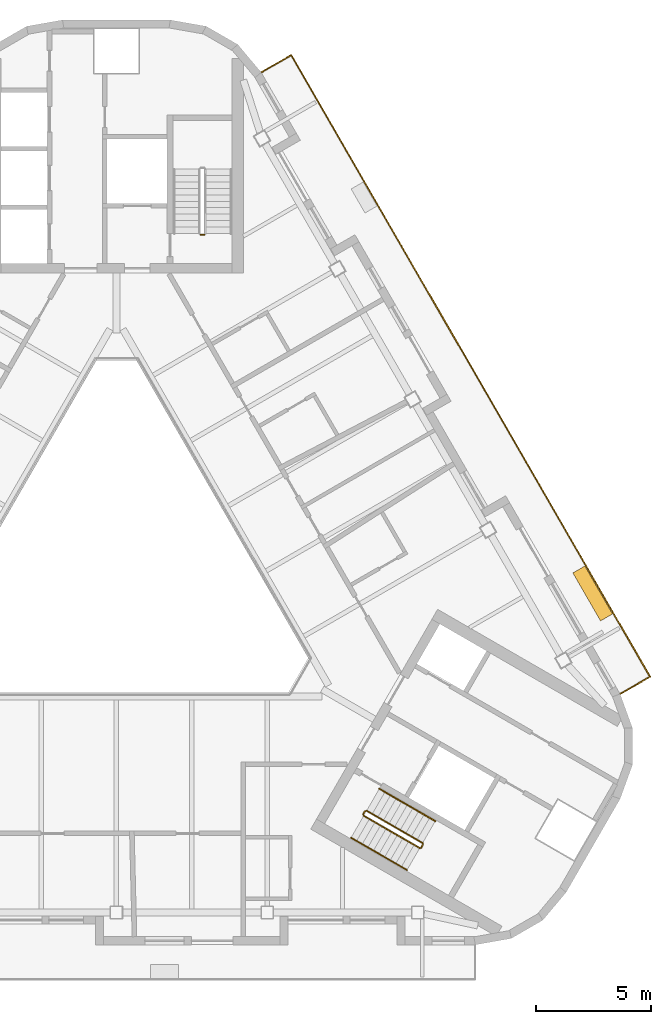
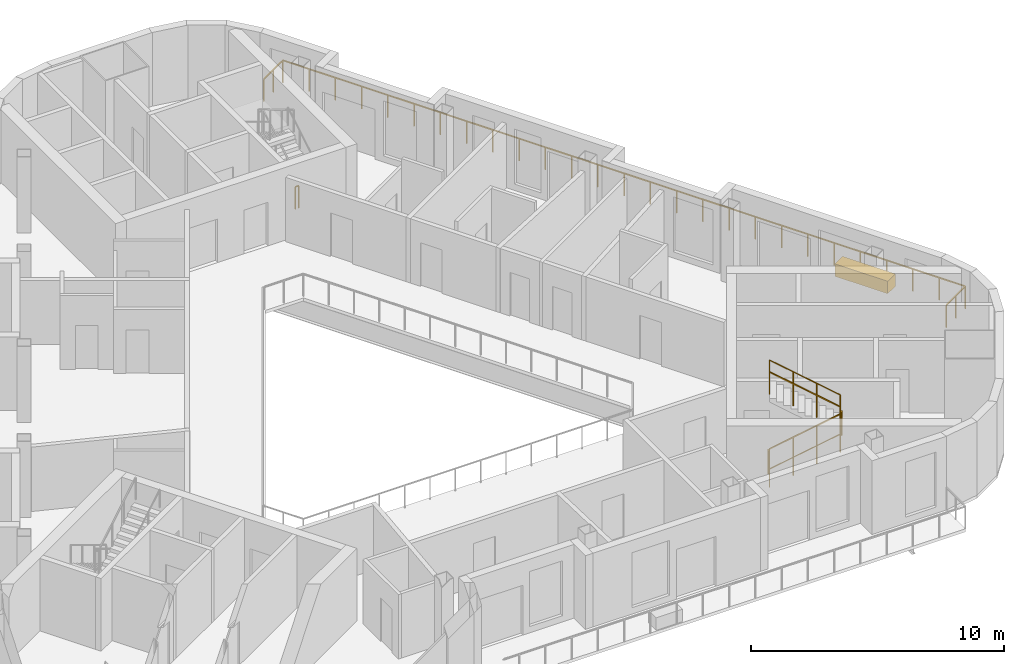
# One storey, part 10 of 11: 8 railings, 1 covering.
"""IFC4 building model written with IfcOpenShell, lengths in metres."""

from ifc_helpers import new_model, si_unit, direction, frame, origin, origin_2d, place, context, subcontext, project, spatial, rectangle, circle, extrude, material, type_object, element, save


model = new_model("IFC4")

# Units and contexts
model_context = context("Model", 3, precision=1e-05, world=origin(), true_north=direction((0.0, 1.0)))
body_context = subcontext(model_context, "Body", "Model", "MODEL_VIEW")
ifc_project = project(units=[si_unit("LENGTHUNIT", "METRE"), si_unit("AREAUNIT", "SQUARE_METRE"), si_unit("VOLUMEUNIT", "CUBIC_METRE"), si_unit("PLANEANGLEUNIT", "RADIAN"), si_unit("MASSUNIT", "GRAM", prefix="KILO")], contexts=[model_context])

# Site, building, storey
site_placement = place(None, origin())
site = spatial("IfcSite", under=ifc_project, at=site_placement, CompositionType="ELEMENT")
building_placement = place(site_placement, origin())
building = spatial("IfcBuilding", under=site, at=building_placement, Name="Apuvela Tower Hotel", CompositionType="ELEMENT")
storey_placement = place(building_placement, frame((0.0, 0.0, 317.0)))
storey = spatial("IfcBuildingStorey", under=building, at=storey_placement, Name="L79", CompositionType="ELEMENT", Elevation=317.0)

# Railings
ifc_material_1 = material(Name="Steel S275 balustrade", Category="steel")
railing_type_1 = type_object("IfcRailingType", Name="COR-GUARD-1100", PredefinedType="GUARDRAIL", material=ifc_material_1)
railing_1_placement = place(storey_placement, frame((3.800048828125, 14.550048828125, 0.0)))
element("IfcRailing", 1, at=railing_1_placement, inside=storey, type_object=railing_type_1, Name="L79 ST1 stair guard 4", PredefinedType="GUARDRAIL", context=body_context, shape_type="SweptSolid", body=[
    extrude(rectangle(XDim=0.048095703125, YDim=0.048095703125, at=origin_2d()), frame((0.0, 0.0, 1.076171875), z_axis=(-1.0, 0.0, 0.0), x_axis=(0.0, -1.0, 0.0)), (0.0, 0.0, 1.0), 0.150146484375),
    extrude(rectangle(XDim=0.0419921875, YDim=0.0419921875, at=origin_2d()), origin(), (0.0, 0.0, 1.0), 1.052001953125),
    extrude(rectangle(XDim=0.0419921875, YDim=0.0419921875, at=origin_2d()), frame((-0.150146484375, 0.0, 0.0)), (0.0, 0.0, 1.0), 1.052001953125),
])
railing_2_placement = place(storey_placement, frame((10.718994140625, -10.63427734375, 0.168212890625)))
element("IfcRailing", 2, at=railing_2_placement, inside=storey, type_object=railing_type_1, Name="L79 ST3 stair guard 1", PredefinedType="GUARDRAIL", context=body_context, shape_type="SweptSolid", body=[
    extrude(rectangle(XDim=0.048095703125, YDim=0.048095703125, at=origin_2d()), frame((0.0, 0.0, 1.076171875), z_axis=(0.742390482028, -0.42860119049, 0.514934356695), x_axis=(0.49998411664, 0.866034573852, 0.0)), (0.0, 0.0, 1.0), 3.26611328125),
    extrude(rectangle(XDim=0.0419921875, YDim=0.0419921875, at=origin_2d()), origin(), (0.0, 0.0, 1.0), 1.052001953125),
    extrude(rectangle(XDim=0.0419921875, YDim=0.0419921875, at=origin_2d()), frame((0.808349609375, -0.466552734375, 0.560546875)), (0.0, 0.0, 1.0), 1.052001953125),
    extrude(rectangle(XDim=0.0419921875, YDim=0.0419921875, at=origin_2d()), frame((1.616455078125, -0.933349609375, 1.121337890625)), (0.0, 0.0, 1.0), 1.052001953125),
    extrude(rectangle(XDim=0.0419921875, YDim=0.0419921875, at=origin_2d()), frame((2.4248046875, -1.39990234375, 1.681884765625)), (0.0, 0.0, 1.0), 1.052001953125),
])
railing_3_placement = place(storey_placement, frame((13.212158203125, -12.015869140625, 1.85009765625)))
element("IfcRailing", 3, at=railing_3_placement, inside=storey, type_object=railing_type_1, Name="L79 ST3 stair guard 2", PredefinedType="GUARDRAIL", context=body_context, shape_type="SweptSolid", body=[
    extrude(rectangle(XDim=0.048095703125, YDim=0.048095703125, at=origin_2d()), frame((0.0, 0.0, 1.076171875), z_axis=(0.499816412211, 0.866131372301, 0.0), x_axis=(-0.866131372301, 0.499816412211, 0.0)), (0.0, 0.0, 1.0), 0.14990234375),
    extrude(rectangle(XDim=0.0419921875, YDim=0.0419921875, at=origin_2d()), origin(), (0.0, 0.0, 1.0), 1.052001953125),
    extrude(rectangle(XDim=0.0419921875, YDim=0.0419921875, at=origin_2d()), frame((0.074951171875, 0.1298828125, 0.0)), (0.0, 0.0, 1.0), 1.052001953125),
])
railing_4_placement = place(storey_placement, frame((13.268798828125, -11.817626953125, 2.01806640625)))
element("IfcRailing", 4, at=railing_4_placement, inside=storey, type_object=railing_type_1, Name="L79 ST3 stair guard 3", PredefinedType="GUARDRAIL", context=body_context, shape_type="SweptSolid", body=[
    extrude(rectangle(XDim=0.048095703125, YDim=0.048095703125, at=origin_2d()), frame((0.0, 0.0, 1.076171875), z_axis=(-0.742390482028, 0.42860119049, 0.514934356695), x_axis=(-0.49998411664, -0.866034573852, 0.0)), (0.0, 0.0, 1.0), 3.26611328125),
    extrude(rectangle(XDim=0.0419921875, YDim=0.0419921875, at=origin_2d()), origin(), (0.0, 0.0, 1.0), 1.052001953125),
    extrude(rectangle(XDim=0.0419921875, YDim=0.0419921875, at=origin_2d()), frame((-0.808349609375, 0.466552734375, 0.560546875)), (0.0, 0.0, 1.0), 1.052001953125),
    extrude(rectangle(XDim=0.0419921875, YDim=0.0419921875, at=origin_2d()), frame((-1.616455078125, 0.933349609375, 1.121337890625)), (0.0, 0.0, 1.0), 1.052001953125),
    extrude(rectangle(XDim=0.0419921875, YDim=0.0419921875, at=origin_2d()), frame((-2.4248046875, 1.39990234375, 1.681884765625)), (0.0, 0.0, 1.0), 1.052001953125),
])
railing_5_placement = place(storey_placement, frame((10.70068359375, -10.56591796875, 0.0)))
element("IfcRailing", 5, at=railing_5_placement, inside=storey, type_object=railing_type_1, Name="L79 ST3 stair guard 4", PredefinedType="GUARDRAIL", context=body_context, shape_type="SweptSolid", body=[
    extrude(rectangle(XDim=0.048095703125, YDim=0.048095703125, at=origin_2d()), frame((0.0, 0.0, 1.076171875), z_axis=(0.499816412211, 0.866131372301, 0.0), x_axis=(-0.866131372301, 0.499816412211, 0.0)), (0.0, 0.0, 1.0), 0.14990234375),
    extrude(rectangle(XDim=0.0419921875, YDim=0.0419921875, at=origin_2d()), origin(), (0.0, 0.0, 1.0), 1.052001953125),
    extrude(rectangle(XDim=0.0419921875, YDim=0.0419921875, at=origin_2d()), frame((0.074951171875, 0.1298828125, 0.0)), (0.0, 0.0, 1.0), 1.052001953125),
])
ifc_material_2 = material(Name="Stainless steel 316 handrail", Category="steel")
railing_type_2 = type_object("IfcRailingType", Name="COR-HANDRAIL-900", PredefinedType="HANDRAIL", material=ifc_material_2)
railing_6_placement = place(storey_placement, frame((10.1689453125, -11.5869140625, 0.168212890625)))
element("IfcRailing", 6, at=railing_6_placement, inside=storey, type_object=railing_type_2, Name="L79 ST3 stair handrail 1", PredefinedType="HANDRAIL", context=body_context, shape_type="SweptSolid", body=[
    extrude(circle(Radius=0.02392578125, at=origin_2d()), frame((0.0, 0.0, 0.8759765625), z_axis=(0.742390482028, -0.42860119049, 0.514934356695), x_axis=(0.49998411664, 0.866034573852, 0.0)), (0.0, 0.0, 1.0), 3.26611328125),
    extrude(rectangle(XDim=0.0419921875, YDim=0.0419921875, at=origin_2d()), origin(), (0.0, 0.0, 1.0), 0.851806640625),
    extrude(rectangle(XDim=0.0419921875, YDim=0.0419921875, at=origin_2d()), frame((0.808349609375, -0.466552734375, 0.560546875)), (0.0, 0.0, 1.0), 0.851806640625),
    extrude(rectangle(XDim=0.0419921875, YDim=0.0419921875, at=origin_2d()), frame((1.616455078125, -0.933349609375, 1.121337890625)), (0.0, 0.0, 1.0), 0.851806640625),
    extrude(rectangle(XDim=0.0419921875, YDim=0.0419921875, at=origin_2d()), frame((2.4248046875, -1.39990234375, 1.681884765625)), (0.0, 0.0, 1.0), 0.851806640625),
])
railing_7_placement = place(storey_placement, frame((13.81884765625, -10.864990234375, 2.01806640625)))
element("IfcRailing", 7, at=railing_7_placement, inside=storey, type_object=railing_type_2, Name="L79 ST3 stair handrail 2", PredefinedType="HANDRAIL", context=body_context, shape_type="SweptSolid", body=[
    extrude(circle(Radius=0.02392578125, at=origin_2d()), frame((0.0, 0.0, 0.8759765625), z_axis=(-0.742390482028, 0.42860119049, 0.514934356695), x_axis=(-0.49998411664, -0.866034573852, 0.0)), (0.0, 0.0, 1.0), 3.26611328125),
    extrude(rectangle(XDim=0.0419921875, YDim=0.0419921875, at=origin_2d()), origin(), (0.0, 0.0, 1.0), 0.851806640625),
    extrude(rectangle(XDim=0.0419921875, YDim=0.0419921875, at=origin_2d()), frame((-0.808349609375, 0.466552734375, 0.560546875)), (0.0, 0.0, 1.0), 0.851806640625),
    extrude(rectangle(XDim=0.0419921875, YDim=0.0419921875, at=origin_2d()), frame((-1.616455078125, 0.933349609375, 1.121337890625)), (0.0, 0.0, 1.0), 0.851806640625),
    extrude(rectangle(XDim=0.0419921875, YDim=0.0419921875, at=origin_2d()), frame((-2.4248046875, 1.39990234375, 1.681884765625)), (0.0, 0.0, 1.0), 0.851806640625),
])
ifc_material_3 = material(Name="Stainless steel 316 rail with laminated glass infill", Category="steel")
railing_type_3 = type_object("IfcRailingType", Name="ENV-GUARD-1100", PredefinedType="GUARDRAIL", material=ifc_material_3)
railing_8_placement = place(storey_placement, frame((21.83056640625, -5.356689453125, 0.0)))
element("IfcRailing", 8, at=railing_8_placement, inside=storey, type_object=railing_type_3, Name="Balcony guard NE L79", PredefinedType="GUARDRAIL", context=body_context, shape_type="SweptSolid", body=[
    extrude(rectangle(XDim=0.050048828125, YDim=0.050048828125, at=origin_2d()), frame((0.0, 0.0, 1.0751953125), z_axis=(0.866031096941, 0.499990139034, 0.0), x_axis=(-0.499990139034, 0.866031096941, 0.0)), (0.0, 0.0, 1.0), 1.5),
    extrude(rectangle(XDim=0.050048828125, YDim=0.050048828125, at=origin_2d()), frame((1.299072265625, 0.75, 1.0751953125), z_axis=(-0.500002341412, 0.866024051966, 0.0), x_axis=(-0.866024051966, -0.500002341412, 0.0)), (0.0, 0.0, 1.0), 31.108642578125),
    extrude(rectangle(XDim=0.050048828125, YDim=0.050048828125, at=origin_2d()), frame((-14.25537109375, 27.69091796875, 1.0751953125), z_axis=(-0.866031096941, -0.499990139034, 0.0), x_axis=(0.499990139034, -0.866031096941, 0.0)), (0.0, 0.0, 1.0), 1.5),
    extrude(rectangle(XDim=0.0400390625, YDim=0.0400390625, at=origin_2d()), origin(), (0.0, 0.0, 1.0), 1.050048828125),
    extrude(rectangle(XDim=0.0400390625, YDim=0.0400390625, at=origin_2d()), frame((0.6494140625, 0.375, 0.0)), (0.0, 0.0, 1.0), 1.050048828125),
    extrude(rectangle(XDim=0.0400390625, YDim=0.0400390625, at=origin_2d()), frame((1.299072265625, 0.75, 0.0)), (0.0, 0.0, 1.0), 1.050048828125),
    extrude(rectangle(XDim=0.0400390625, YDim=0.0400390625, at=origin_2d()), frame((0.700927734375, 1.7861328125, 0.0)), (0.0, 0.0, 1.0), 1.050048828125),
    extrude(rectangle(XDim=0.0400390625, YDim=0.0400390625, at=origin_2d()), frame((0.1025390625, 2.822265625, 0.0)), (0.0, 0.0, 1.0), 1.050048828125),
    extrude(rectangle(XDim=0.0400390625, YDim=0.0400390625, at=origin_2d()), frame((-0.49560546875, 3.858642578125, 0.0)), (0.0, 0.0, 1.0), 1.050048828125),
    extrude(rectangle(XDim=0.0400390625, YDim=0.0400390625, at=origin_2d()), frame((-1.093994140625, 4.894775390625, 0.0)), (0.0, 0.0, 1.0), 1.050048828125),
    extrude(rectangle(XDim=0.0400390625, YDim=0.0400390625, at=origin_2d()), frame((-1.692138671875, 5.930908203125, 0.0)), (0.0, 0.0, 1.0), 1.050048828125),
    extrude(rectangle(XDim=0.0400390625, YDim=0.0400390625, at=origin_2d()), frame((-2.29052734375, 6.967041015625, 0.0)), (0.0, 0.0, 1.0), 1.050048828125),
    extrude(rectangle(XDim=0.0400390625, YDim=0.0400390625, at=origin_2d()), frame((-2.888671875, 8.00341796875, 0.0)), (0.0, 0.0, 1.0), 1.050048828125),
    extrude(rectangle(XDim=0.0400390625, YDim=0.0400390625, at=origin_2d()), frame((-3.48681640625, 9.03955078125, 0.0)), (0.0, 0.0, 1.0), 1.050048828125),
    extrude(rectangle(XDim=0.0400390625, YDim=0.0400390625, at=origin_2d()), frame((-4.085205078125, 10.07568359375, 0.0)), (0.0, 0.0, 1.0), 1.050048828125),
    extrude(rectangle(XDim=0.0400390625, YDim=0.0400390625, at=origin_2d()), frame((-4.683349609375, 11.11181640625, 0.0)), (0.0, 0.0, 1.0), 1.050048828125),
    extrude(rectangle(XDim=0.0400390625, YDim=0.0400390625, at=origin_2d()), frame((-5.28173828125, 12.148193359375, 0.0)), (0.0, 0.0, 1.0), 1.050048828125),
    extrude(rectangle(XDim=0.0400390625, YDim=0.0400390625, at=origin_2d()), frame((-5.8798828125, 13.184326171875, 0.0)), (0.0, 0.0, 1.0), 1.050048828125),
    extrude(rectangle(XDim=0.0400390625, YDim=0.0400390625, at=origin_2d()), frame((-6.47802734375, 14.220458984375, 0.0)), (0.0, 0.0, 1.0), 1.050048828125),
    extrude(rectangle(XDim=0.0400390625, YDim=0.0400390625, at=origin_2d()), frame((-7.076416015625, 15.256591796875, 0.0)), (0.0, 0.0, 1.0), 1.050048828125),
    extrude(rectangle(XDim=0.0400390625, YDim=0.0400390625, at=origin_2d()), frame((-7.674560546875, 16.292724609375, 0.0)), (0.0, 0.0, 1.0), 1.050048828125),
    extrude(rectangle(XDim=0.0400390625, YDim=0.0400390625, at=origin_2d()), frame((-8.27294921875, 17.3291015625, 0.0)), (0.0, 0.0, 1.0), 1.050048828125),
    extrude(rectangle(XDim=0.0400390625, YDim=0.0400390625, at=origin_2d()), frame((-8.87109375, 18.365234375, 0.0)), (0.0, 0.0, 1.0), 1.050048828125),
    extrude(rectangle(XDim=0.0400390625, YDim=0.0400390625, at=origin_2d()), frame((-9.469482421875, 19.4013671875, 0.0)), (0.0, 0.0, 1.0), 1.050048828125),
    extrude(rectangle(XDim=0.0400390625, YDim=0.0400390625, at=origin_2d()), frame((-10.067626953125, 20.4375, 0.0)), (0.0, 0.0, 1.0), 1.050048828125),
    extrude(rectangle(XDim=0.0400390625, YDim=0.0400390625, at=origin_2d()), frame((-10.665771484375, 21.473876953125, 0.0)), (0.0, 0.0, 1.0), 1.050048828125),
    extrude(rectangle(XDim=0.0400390625, YDim=0.0400390625, at=origin_2d()), frame((-11.26416015625, 22.510009765625, 0.0)), (0.0, 0.0, 1.0), 1.050048828125),
    extrude(rectangle(XDim=0.0400390625, YDim=0.0400390625, at=origin_2d()), frame((-11.8623046875, 23.546142578125, 0.0)), (0.0, 0.0, 1.0), 1.050048828125),
    extrude(rectangle(XDim=0.0400390625, YDim=0.0400390625, at=origin_2d()), frame((-12.460693359375, 24.582275390625, 0.0)), (0.0, 0.0, 1.0), 1.050048828125),
    extrude(rectangle(XDim=0.0400390625, YDim=0.0400390625, at=origin_2d()), frame((-13.058837890625, 25.61865234375, 0.0)), (0.0, 0.0, 1.0), 1.050048828125),
    extrude(rectangle(XDim=0.0400390625, YDim=0.0400390625, at=origin_2d()), frame((-13.6572265625, 26.65478515625, 0.0)), (0.0, 0.0, 1.0), 1.050048828125),
    extrude(rectangle(XDim=0.0400390625, YDim=0.0400390625, at=origin_2d()), frame((-14.25537109375, 27.69091796875, 0.0)), (0.0, 0.0, 1.0), 1.050048828125),
    extrude(rectangle(XDim=0.0400390625, YDim=0.0400390625, at=origin_2d()), frame((-14.90478515625, 27.31591796875, 0.0)), (0.0, 0.0, 1.0), 1.050048828125),
    extrude(rectangle(XDim=0.0400390625, YDim=0.0400390625, at=origin_2d()), frame((-15.554443359375, 26.94091796875, 0.0)), (0.0, 0.0, 1.0), 1.050048828125),
])

# Covering
ifc_material_4 = material(Name="Planting substrate and soil, planted")
covering_type = type_object("IfcCoveringType", Name="ENV-PLANTER-2400x600", PredefinedType="USERDEFINED", material=ifc_material_4)
covering_placement = place(storey_placement, frame((20.642578125, -0.9990234375, 0.0), z_axis=(0.0, 0.0, 1.0), x_axis=(-0.5, 0.866025403784, 0.0)))
element("IfcCovering", 9, at=covering_placement, inside=storey, type_object=covering_type, Name="Planter NE3", ObjectType="PLANTER", PredefinedType="USERDEFINED", context=body_context, shape_type="SweptSolid", body=[
    extrude(rectangle(XDim=2.39990234375, YDim=0.60009765625, at=origin_2d()), origin(), (0.0, 0.0, 1.0), 0.60009765625),
])

save(model, "model.ifc")
